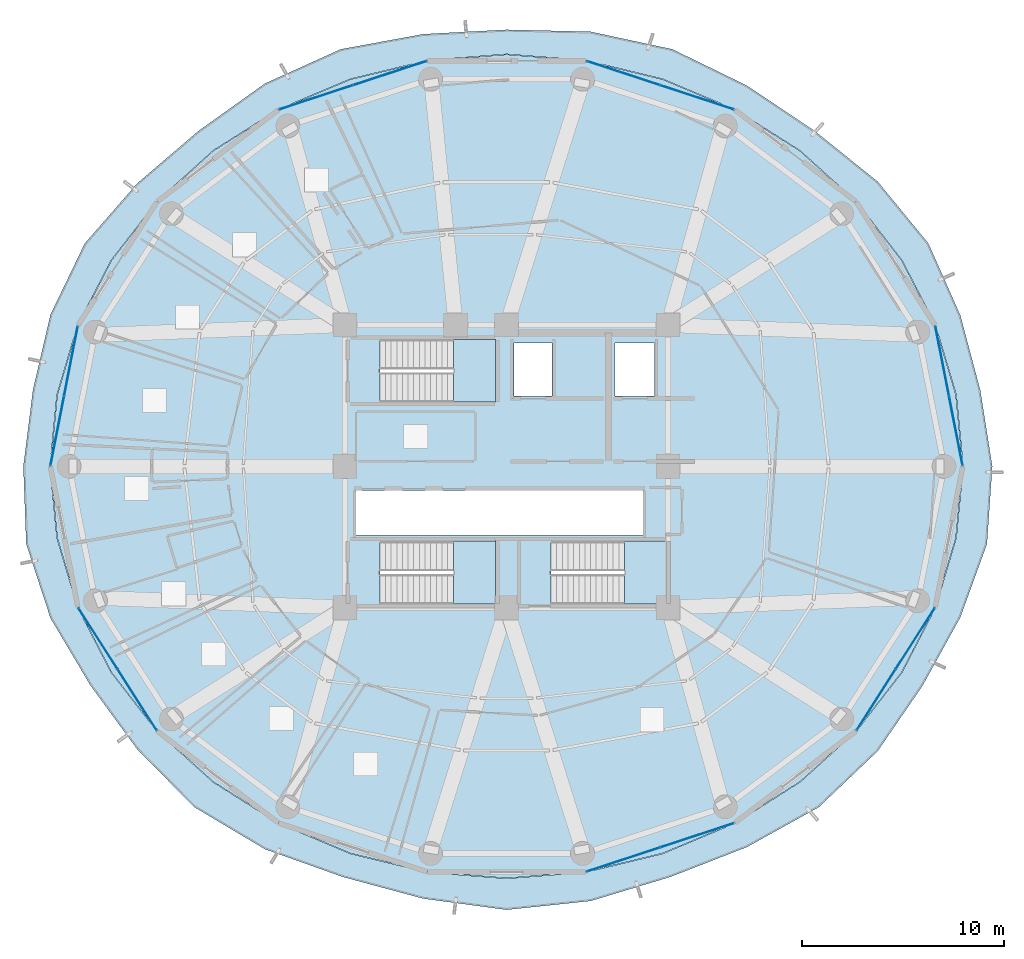
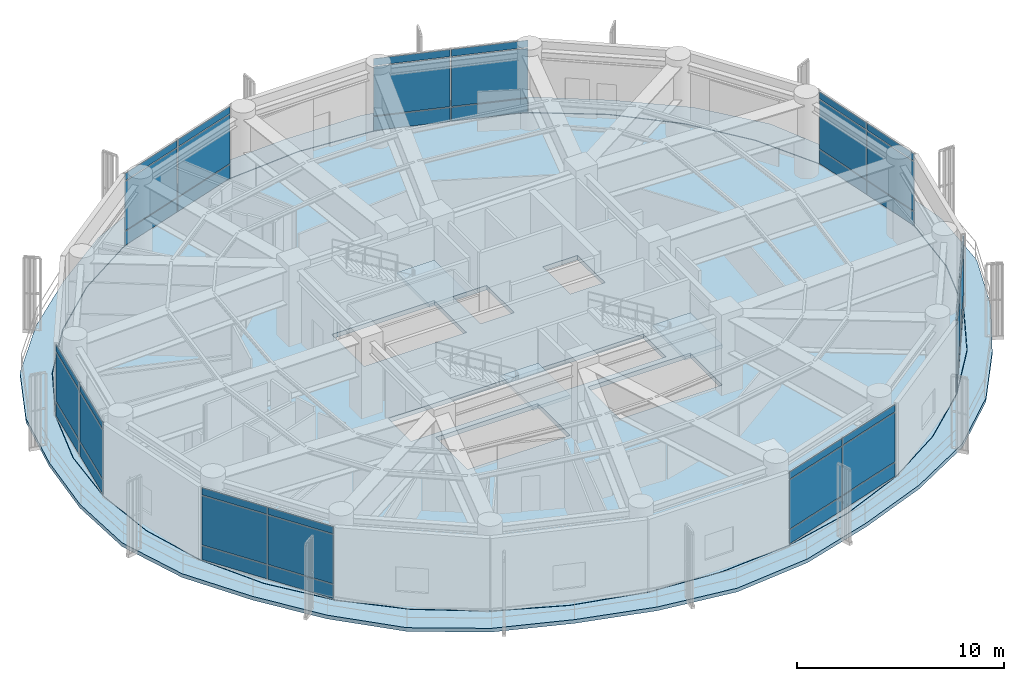
# One storey, part 20 of 28: 42 plates, 5 slabs, 10 elements without a shape of their own.
"""IFC4 building model written with IfcOpenShell, lengths in metres."""

from ifc_helpers import new_model, si_unit, direction, frame, origin, origin_2d, place, context, subcontext, project, spatial, polyline, rectangle, outline, extrude, source, transform, mapped, material, layer, layer_set, type_object, element, aggregate, save


model = new_model("IFC4")

# Units and contexts
model_context = context("Model", 3, precision=1e-05, world=origin(), true_north=direction((0.0, 1.0)))
body_context = subcontext(model_context, "Body", "Model", "MODEL_VIEW")
ifc_project = project(units=[si_unit("LENGTHUNIT", "METRE"), si_unit("AREAUNIT", "SQUARE_METRE"), si_unit("VOLUMEUNIT", "CUBIC_METRE"), si_unit("PLANEANGLEUNIT", "RADIAN"), si_unit("MASSUNIT", "GRAM", prefix="KILO")], contexts=[model_context])

# Site, building, storey
site_placement = place(None, origin())
site = spatial("IfcSite", under=ifc_project, at=site_placement, CompositionType="ELEMENT")
building_placement = place(site_placement, origin())
building = spatial("IfcBuilding", under=site, at=building_placement, Name="Kelanora Arch Commons", CompositionType="ELEMENT")
storey_placement = place(building_placement, frame((0.0, 0.0, 184.35009765625)))
storey = spatial("IfcBuildingStorey", under=building, at=storey_placement, Name="L47", CompositionType="ELEMENT", Elevation=184.35009765625)

# Stair, slab
ifc_material_1 = material(Name="Concrete C40/50", Category="concrete")
stair_type = type_object("IfcStairType", Name="STR-DL-476", PredefinedType="HALF_TURN_STAIR", material=ifc_material_1)
stair_1_placement = place(storey_placement, origin())
stair_1 = element("IfcStair", 1, at=stair_1_placement, inside=storey, type_object=stair_type, Name="L47 ST-T1", PredefinedType="HALF_TURN_STAIR")
ifc_layer_1 = layer(ifc_material_1, 0.199951171875)
ifc_layer_set_1 = layer_set([ifc_layer_1], Name="Concrete C40/50")
slab_type_1 = type_object("IfcSlabType", Name="SLB-STAIR-LND", PredefinedType="LANDING", material=ifc_layer_set_1)
slab_1_placement = place(storey_placement, frame((0.0, 0.0, 2.179931640625)))
slab_1 = element("IfcSlab", 2, at=slab_1_placement, type_object=slab_type_1, Name="ST-T1 landing 1", PredefinedType="LANDING", context=body_context, shape_type="SweptSolid", body=[
    extrude(outline(polyline([(71.360107421875, 61.179931640625), (73.43994140625, 61.179931640625), (73.43994140625, 64.2900390625), (71.360107421875, 64.2900390625), (71.360107421875, 61.179931640625)])), origin(), (0.0, 0.0, 1.0), 0.199951171875),
])
aggregate(stair_1, [slab_1])

stair_2_placement = place(storey_placement, origin())
stair_2 = element("IfcStair", 3, at=stair_2_placement, inside=storey, type_object=stair_type, Name="L47 ST-T2", PredefinedType="HALF_TURN_STAIR")
slab_2_placement = place(storey_placement, frame((0.0, 0.0, 2.179931640625)))
slab_2 = element("IfcSlab", 4, at=slab_2_placement, type_object=slab_type_1, Name="ST-T2 landing 1", PredefinedType="LANDING", context=body_context, shape_type="SweptSolid", body=[
    extrude(outline(polyline([(79.840087890625, 51.179931640625), (81.919921875, 51.179931640625), (81.919921875, 54.2900390625), (79.840087890625, 54.2900390625), (79.840087890625, 51.179931640625)])), origin(), (0.0, 0.0, 1.0), 0.199951171875),
])
aggregate(stair_2, [slab_2])

stair_3_placement = place(storey_placement, origin())
stair_3 = element("IfcStair", 5, at=stair_3_placement, inside=storey, type_object=stair_type, Name="L47 ST-T3", PredefinedType="HALF_TURN_STAIR")
slab_3_placement = place(storey_placement, frame((0.0, 0.0, 2.179931640625)))
slab_3 = element("IfcSlab", 6, at=slab_3_placement, type_object=slab_type_1, Name="ST-T3 landing 1", PredefinedType="LANDING", context=body_context, shape_type="SweptSolid", body=[
    extrude(outline(polyline([(71.360107421875, 51.179931640625), (73.43994140625, 51.179931640625), (73.43994140625, 54.2900390625), (71.360107421875, 54.2900390625), (71.360107421875, 51.179931640625)])), origin(), (0.0, 0.0, 1.0), 0.199951171875),
])
aggregate(stair_3, [slab_3])

# Slabs
ifc_layer_2 = layer(ifc_material_1, 0.260009765625)
ifc_layer_set_2 = layer_set([ifc_layer_2], Name="Concrete C40/50")
slab_type_2 = type_object("IfcSlabType", Name="SLB-TWR-TYP", PredefinedType="FLOOR", material=ifc_layer_set_2)
slab_4_placement = place(storey_placement, frame((0.0, 0.0, -0.260009765625)))
element("IfcSlab", 7, at=slab_4_placement, inside=storey, type_object=slab_type_2, Name="Tower Floor Slab L47", PredefinedType="FLOOR", context=body_context, shape_type="SweptSolid", body=[
    extrude(outline(polyline([(96.60009765625, 58.0), (96.256591796875, 61.54248046875), (95.237060546875, 64.977294921875), (93.572265625, 68.199951171875), (91.3125, 71.11279296875), (88.527099609375, 73.627197265625), (85.300048828125, 75.6669921875), (81.729736328125, 77.169677734375), (77.92431640625, 78.090087890625), (74.0, 78.39990234375), (70.07568359375, 78.090087890625), (66.270263671875, 77.169677734375), (62.699951171875, 75.6669921875), (59.472900390625, 73.627197265625), (56.6875, 71.11279296875), (54.427734375, 68.199951171875), (52.762939453125, 64.977294921875), (51.743408203125, 61.54248046875), (51.39990234375, 58.0), (51.743408203125, 54.45751953125), (52.762939453125, 51.022705078125), (54.427734375, 47.800048828125), (56.6875, 44.88720703125), (59.472900390625, 42.372802734375), (62.699951171875, 40.3330078125), (66.270263671875, 38.830322265625), (70.07568359375, 37.909912109375), (74.0, 37.60009765625), (77.92431640625, 37.909912109375), (81.729736328125, 38.830322265625), (85.300048828125, 40.3330078125), (88.527099609375, 42.372802734375), (91.3125, 44.88720703125), (93.572265625, 47.800048828125), (95.237060546875, 51.022705078125), (96.256591796875, 54.45751953125), (96.60009765625, 58.0)]), holes=[polyline([(73.431884765625, 51.18798828125), (67.72802734375, 51.18798828125), (67.72802734375, 54.281982421875), (73.431884765625, 54.281982421875), (73.431884765625, 51.18798828125)]), polyline([(76.2080078125, 51.18798828125), (76.2080078125, 54.281982421875), (81.912109375, 54.281982421875), (81.912109375, 51.18798828125), (76.2080078125, 51.18798828125)]), polyline([(66.550048828125, 54.60009765625), (66.550048828125, 56.800048828125), (80.75, 56.800048828125), (80.75, 54.60009765625), (66.550048828125, 54.60009765625)]), polyline([(73.431884765625, 61.18798828125), (67.72802734375, 61.18798828125), (67.72802734375, 64.281982421875), (73.431884765625, 64.281982421875), (73.431884765625, 61.18798828125)]), polyline([(74.3798828125, 61.47998046875), (74.3798828125, 64.1201171875), (76.260009765625, 64.1201171875), (76.260009765625, 61.47998046875), (74.3798828125, 61.47998046875)]), polyline([(79.3798828125, 61.47998046875), (79.3798828125, 64.1201171875), (81.320068359375, 64.1201171875), (81.320068359375, 61.47998046875), (79.3798828125, 61.47998046875)])]), origin(), (0.0, 0.0, 1.0), 0.260009765625),
])
ifc_layer_3 = layer(ifc_material_1, 0.219970703125)
ifc_layer_set_3 = layer_set([ifc_layer_3], Name="Concrete C40/50")
slab_type_3 = type_object("IfcSlabType", Name="SLB-WAVE-BAL", PredefinedType="FLOOR", material=ifc_layer_set_3)
slab_5_placement = place(storey_placement, frame((0.0, 0.0, -0.22021484375)))
element("IfcSlab", 8, at=slab_5_placement, inside=storey, type_object=slab_type_3, Name="Sinusoidal Wave Balcony Slab L47", PredefinedType="FLOOR", context=body_context, shape_type="SweptSolid", body=[
    extrude(outline(polyline([(98.0615234375, 58.0), (97.464599609375, 61.7783203125), (96.478515625, 65.477783203125), (94.89404296875, 69.04541015625), (92.383056640625, 72.10791015625), (89.270263671875, 74.6083984375), (85.918701171875, 76.853759765625), (82.219482421875, 78.660400390625), (78.154296875, 79.533447265625), (74.0, 79.630859375), (69.865234375, 79.411865234375), (65.780517578125, 78.660400390625), (62.0244140625, 76.962890625), (58.729736328125, 74.6083984375), (55.70703125, 72.024169921875), (53.10595703125, 69.04541015625), (51.407470703125, 65.523681640625), (50.535400390625, 61.7783203125), (50.0615234375, 58.0), (50.203369140625, 54.15673828125), (51.407470703125, 50.476318359375), (53.390869140625, 47.13671875), (55.70703125, 43.975830078125), (58.525634765625, 41.121826171875), (62.0244140625, 39.037109375), (65.88623046875, 37.660888671875), (69.865234375, 36.588134765625), (74.0, 36.031005859375), (78.154296875, 36.466552734375), (82.11376953125, 37.660888671875), (85.918701171875, 39.146240234375), (89.474365234375, 41.121826171875), (92.383056640625, 43.89208984375), (94.609130859375, 47.13671875), (96.478515625, 50.522216796875), (97.796630859375, 54.15673828125), (98.0615234375, 58.0)]), holes=[polyline([(96.2763671875, 54.4541015625), (95.255859375, 51.015869140625), (93.589599609375, 47.7900390625), (91.327880859375, 44.874267578125), (88.539794921875, 42.357421875), (85.31005859375, 40.31591796875), (81.736572265625, 38.8115234375), (77.927978515625, 37.89013671875), (74.0, 37.580078125), (70.072021484375, 37.89013671875), (66.263427734375, 38.8115234375), (62.68994140625, 40.31591796875), (59.460205078125, 42.357421875), (56.672119140625, 44.874267578125), (54.410400390625, 47.7900390625), (52.744140625, 51.015869140625), (51.7236328125, 54.4541015625), (51.3798828125, 58.0), (51.7236328125, 61.5458984375), (52.744140625, 64.984130859375), (54.410400390625, 68.2099609375), (56.672119140625, 71.125732421875), (59.460205078125, 73.642578125), (62.68994140625, 75.68408203125), (66.263427734375, 77.1884765625), (70.072021484375, 78.10986328125), (74.0, 78.419921875), (77.927978515625, 78.10986328125), (81.736572265625, 77.1884765625), (85.31005859375, 75.68408203125), (88.539794921875, 73.642578125), (91.327880859375, 71.125732421875), (93.589599609375, 68.2099609375), (95.255859375, 64.984130859375), (96.2763671875, 61.5458984375), (96.6201171875, 58.0), (96.2763671875, 54.4541015625)])]), origin(), (0.0, 0.0, 1.0), 0.22021484375),
])

# Curtain wall, plates
ifc_material_2 = material(Name="Terracotta ceramic-fritted low-E glass and aluminium", Category="masonry")
ifc_layer_4 = layer(ifc_material_2, 0.175048828125)
ifc_layer_set_4 = layer_set([ifc_layer_4], Name="Terracotta ceramic-fritted low-E glass and aluminium")
curtain_wall_type = type_object("IfcCurtainWallType", Name="CW-SYS-02", PredefinedType="NOTDEFINED", material=ifc_layer_set_4)
curtain_wall_1_placement = place(storey_placement, origin())
curtain_wall_1 = element("IfcCurtainWall", 9, at=curtain_wall_1_placement, inside=storey, type_object=curtain_wall_type, Name="Unitised Curtain Wall L47-B00", PredefinedType="NOTDEFINED")
ifc_material_3 = material(Name="Terracotta ceramic-fritted double glazing", Category="masonry")
ifc_layer_5 = layer(ifc_material_3, 0.028076171875)
ifc_layer_set_5 = layer_set([ifc_layer_5], Name="Terracotta ceramic-fritted double glazing")
plate_type = type_object("IfcPlateType", Name="CWP-FRIT", PredefinedType="CURTAIN_PANEL", material=ifc_layer_set_5)
shared_shape_1 = source(origin(), body_context, "Body", "SweptSolid", [
    extrude(rectangle(XDim=3.449462890625, YDim=0.028076171875, at=origin_2d()), origin(), (0.0, 0.0, 1.0), 0.81005859375),
])
plate_1_placement = place(storey_placement, frame((96.2548828125, 59.766357421875, 0.059814453125), z_axis=(0.0, 0.0, 1.0), x_axis=(-0.191705182375, 0.981452557718, 0.0)))
plate_1 = element("IfcPlate", 10, at=plate_1_placement, type_object=plate_type, Name="CW-02 panel 1.1", PredefinedType="CURTAIN_PANEL", context=body_context, shape_type="MappedRepresentation", body=[
    mapped(shared_shape_1, transform((0.0, 0.0, 0.0), scale=1.0)),
])
plate_2_placement = place(storey_placement, frame((95.58203125, 63.2109375, 0.059814453125), z_axis=(0.0, 0.0, 1.0), x_axis=(-0.191705182375, 0.981452557718, 0.0)))
plate_2 = element("IfcPlate", 11, at=plate_2_placement, type_object=plate_type, Name="CW-02 panel 2.1", PredefinedType="CURTAIN_PANEL", context=body_context, shape_type="MappedRepresentation", body=[
    mapped(shared_shape_1, transform((0.0, 0.0, 0.0), scale=1.0)),
])

curtain_wall_2_placement = place(storey_placement, origin())
curtain_wall_2 = element("IfcCurtainWall", 12, at=curtain_wall_2_placement, inside=storey, type_object=curtain_wall_type, Name="Unitised Curtain Wall L47-B08", PredefinedType="NOTDEFINED")
plate_3_placement = place(storey_placement, frame((52.41796875, 63.2109375, 0.059814453125), z_axis=(0.0, 0.0, 1.0), x_axis=(-0.191705182375, -0.981452557718, 0.0)))
plate_3 = element("IfcPlate", 13, at=plate_3_placement, type_object=plate_type, Name="CW-02 panel 1.1", PredefinedType="CURTAIN_PANEL", context=body_context, shape_type="MappedRepresentation", body=[
    mapped(shared_shape_1, transform((0.0, 0.0, 0.0), scale=1.0)),
])
plate_4_placement = place(storey_placement, frame((51.7451171875, 59.766357421875, 0.059814453125), z_axis=(0.0, 0.0, 1.0), x_axis=(-0.191705182375, -0.981452557718, 0.0)))
plate_4 = element("IfcPlate", 14, at=plate_4_placement, type_object=plate_type, Name="CW-02 panel 2.1", PredefinedType="CURTAIN_PANEL", context=body_context, shape_type="MappedRepresentation", body=[
    mapped(shared_shape_1, transform((0.0, 0.0, 0.0), scale=1.0)),
])

curtain_wall_3_placement = place(storey_placement, origin())
curtain_wall_3 = element("IfcCurtainWall", 15, at=curtain_wall_3_placement, inside=storey, type_object=curtain_wall_type, Name="Unitised Curtain Wall L47-B03", PredefinedType="NOTDEFINED")
shared_shape_2 = source(origin(), body_context, "Body", "SweptSolid", [
    extrude(rectangle(XDim=3.776611328125, YDim=0.028076171875, at=origin_2d()), origin(), (0.0, 0.0, 1.0), 0.81005859375),
])
plate_5_placement = place(storey_placement, frame((83.434814453125, 76.27978515625, 0.059814453125), z_axis=(0.0, 0.0, 1.0), x_axis=(-0.95003996605, 0.312128279571, 0.0)))
plate_5 = element("IfcPlate", 16, at=plate_5_placement, type_object=plate_type, Name="CW-02 panel 1.1", PredefinedType="CURTAIN_PANEL", context=body_context, shape_type="MappedRepresentation", body=[
    mapped(shared_shape_2, transform((0.0, 0.0, 0.0), scale=1.0)),
])
plate_6_placement = place(storey_placement, frame((79.789794921875, 77.477294921875, 0.059814453125), z_axis=(0.0, 0.0, 1.0), x_axis=(-0.95003996605, 0.312128279571, 0.0)))
plate_6 = element("IfcPlate", 17, at=plate_6_placement, type_object=plate_type, Name="CW-02 panel 2.1", PredefinedType="CURTAIN_PANEL", context=body_context, shape_type="MappedRepresentation", body=[
    mapped(shared_shape_2, transform((0.0, 0.0, 0.0), scale=1.0)),
])

curtain_wall_4_placement = place(storey_placement, origin())
curtain_wall_4 = element("IfcCurtainWall", 18, at=curtain_wall_4_placement, inside=storey, type_object=curtain_wall_type, Name="Unitised Curtain Wall L47-B05", PredefinedType="NOTDEFINED")
plate_7_placement = place(storey_placement, frame((68.210205078125, 77.477294921875, 0.059814453125), z_axis=(0.0, 0.0, 1.0), x_axis=(-0.95003996605, -0.312128279571, 0.0)))
plate_7 = element("IfcPlate", 19, at=plate_7_placement, type_object=plate_type, Name="CW-02 panel 1.1", PredefinedType="CURTAIN_PANEL", context=body_context, shape_type="MappedRepresentation", body=[
    mapped(shared_shape_2, transform((0.0, 0.0, 0.0), scale=1.0)),
])
plate_8_placement = place(storey_placement, frame((64.565185546875, 76.27978515625, 0.059814453125), z_axis=(0.0, 0.0, 1.0), x_axis=(-0.95003996605, -0.312128279571, 0.0)))
plate_8 = element("IfcPlate", 20, at=plate_8_placement, type_object=plate_type, Name="CW-02 panel 2.1", PredefinedType="CURTAIN_PANEL", context=body_context, shape_type="MappedRepresentation", body=[
    mapped(shared_shape_2, transform((0.0, 0.0, 0.0), scale=1.0)),
])

curtain_wall_5_placement = place(storey_placement, origin())
curtain_wall_5 = element("IfcCurtainWall", 21, at=curtain_wall_5_placement, inside=storey, type_object=curtain_wall_type, Name="Unitised Curtain Wall L47-B14", PredefinedType="NOTDEFINED")
plate_9_placement = place(storey_placement, frame((79.789794921875, 38.522705078125, 0.059814453125), z_axis=(0.0, 0.0, 1.0), x_axis=(0.95003996605, 0.312128279571, 0.0)))
plate_9 = element("IfcPlate", 22, at=plate_9_placement, type_object=plate_type, Name="CW-02 panel 1.1", PredefinedType="CURTAIN_PANEL", context=body_context, shape_type="MappedRepresentation", body=[
    mapped(shared_shape_2, transform((0.0, 0.0, 0.0), scale=1.0)),
])
plate_10_placement = place(storey_placement, frame((83.434814453125, 39.72021484375, 0.059814453125), z_axis=(0.0, 0.0, 1.0), x_axis=(0.95003996605, 0.312128279571, 0.0)))
plate_10 = element("IfcPlate", 23, at=plate_10_placement, type_object=plate_type, Name="CW-02 panel 2.1", PredefinedType="CURTAIN_PANEL", context=body_context, shape_type="MappedRepresentation", body=[
    mapped(shared_shape_2, transform((0.0, 0.0, 0.0), scale=1.0)),
])

curtain_wall_6_placement = place(storey_placement, origin())
curtain_wall_6 = element("IfcCurtainWall", 24, at=curtain_wall_6_placement, inside=storey, type_object=curtain_wall_type, Name="Unitised Curtain Wall L47-B10", PredefinedType="NOTDEFINED")
shared_shape_3 = source(origin(), body_context, "Body", "SweptSolid", [
    extrude(rectangle(XDim=3.53662109375, YDim=0.028076171875, at=origin_2d()), origin(), (0.0, 0.0, 1.0), 0.81005859375),
])
plate_11_placement = place(storey_placement, frame((53.756103515625, 49.469970703125, 0.059814453125), z_axis=(0.0, 0.0, 1.0), x_axis=(0.538816988983, -0.842422846546, 0.0)))
plate_11 = element("IfcPlate", 25, at=plate_11_placement, type_object=plate_type, Name="CW-02 panel 1.1", PredefinedType="CURTAIN_PANEL", context=body_context, shape_type="MappedRepresentation", body=[
    mapped(shared_shape_3, transform((0.0, 0.0, 0.0), scale=1.0)),
])
plate_12_placement = place(storey_placement, frame((55.694091796875, 46.43994140625, 0.059814453125), z_axis=(0.0, 0.0, 1.0), x_axis=(0.538816988983, -0.842422846546, 0.0)))
plate_12 = element("IfcPlate", 26, at=plate_12_placement, type_object=plate_type, Name="CW-02 panel 2.1", PredefinedType="CURTAIN_PANEL", context=body_context, shape_type="MappedRepresentation", body=[
    mapped(shared_shape_3, transform((0.0, 0.0, 0.0), scale=1.0)),
])

curtain_wall_7_placement = place(storey_placement, origin())
curtain_wall_7 = element("IfcCurtainWall", 27, at=curtain_wall_7_placement, inside=storey, type_object=curtain_wall_type, Name="Unitised Curtain Wall L47-B16", PredefinedType="NOTDEFINED")
plate_13_placement = place(storey_placement, frame((92.305908203125, 46.43994140625, 0.059814453125), z_axis=(0.0, 0.0, 1.0), x_axis=(0.538816988983, 0.842422846546, 0.0)))
plate_13 = element("IfcPlate", 28, at=plate_13_placement, type_object=plate_type, Name="CW-02 panel 1.1", PredefinedType="CURTAIN_PANEL", context=body_context, shape_type="MappedRepresentation", body=[
    mapped(shared_shape_3, transform((0.0, 0.0, 0.0), scale=1.0)),
])
plate_14_placement = place(storey_placement, frame((94.243896484375, 49.469970703125, 0.059814453125), z_axis=(0.0, 0.0, 1.0), x_axis=(0.538816988983, 0.842422846546, 0.0)))
plate_14 = element("IfcPlate", 29, at=plate_14_placement, type_object=plate_type, Name="CW-02 panel 2.1", PredefinedType="CURTAIN_PANEL", context=body_context, shape_type="MappedRepresentation", body=[
    mapped(shared_shape_3, transform((0.0, 0.0, 0.0), scale=1.0)),
])

# Plate
shared_shape_4 = source(origin(), body_context, "Body", "SweptSolid", [
    extrude(rectangle(XDim=3.449462890625, YDim=0.028076171875, at=origin_2d()), origin(), (0.0, 0.0, 1.0), 2.885009765625),
])
plate_15_placement = place(storey_placement, frame((96.2548828125, 59.766357421875, 0.9296875), z_axis=(0.0, 0.0, 1.0), x_axis=(-0.191705182375, 0.981452557718, 0.0)))
plate_15 = element("IfcPlate", 30, at=plate_15_placement, type_object=plate_type, Name="CW-02 panel 1.2", PredefinedType="CURTAIN_PANEL", context=body_context, shape_type="MappedRepresentation", body=[
    mapped(shared_shape_4, transform((0.0, 0.0, 0.0), scale=1.0)),
])

plate_16_placement = place(storey_placement, frame((95.58203125, 63.2109375, 0.9296875), z_axis=(0.0, 0.0, 1.0), x_axis=(-0.191705182375, 0.981452557718, 0.0)))
plate_16 = element("IfcPlate", 31, at=plate_16_placement, type_object=plate_type, Name="CW-02 panel 2.2", PredefinedType="CURTAIN_PANEL", context=body_context, shape_type="MappedRepresentation", body=[
    mapped(shared_shape_4, transform((0.0, 0.0, 0.0), scale=1.0)),
])

plate_17_placement = place(storey_placement, frame((52.41796875, 63.2109375, 0.9296875), z_axis=(0.0, 0.0, 1.0), x_axis=(-0.191705182375, -0.981452557718, 0.0)))
plate_17 = element("IfcPlate", 32, at=plate_17_placement, type_object=plate_type, Name="CW-02 panel 1.2", PredefinedType="CURTAIN_PANEL", context=body_context, shape_type="MappedRepresentation", body=[
    mapped(shared_shape_4, transform((0.0, 0.0, 0.0), scale=1.0)),
])

plate_18_placement = place(storey_placement, frame((51.7451171875, 59.766357421875, 0.9296875), z_axis=(0.0, 0.0, 1.0), x_axis=(-0.191705182375, -0.981452557718, 0.0)))
plate_18 = element("IfcPlate", 33, at=plate_18_placement, type_object=plate_type, Name="CW-02 panel 2.2", PredefinedType="CURTAIN_PANEL", context=body_context, shape_type="MappedRepresentation", body=[
    mapped(shared_shape_4, transform((0.0, 0.0, 0.0), scale=1.0)),
])

shared_shape_5 = source(origin(), body_context, "Body", "SweptSolid", [
    extrude(rectangle(XDim=3.449462890625, YDim=0.028076171875, at=origin_2d()), origin(), (0.0, 0.0, 1.0), 0.409912109375),
])
plate_19_placement = place(storey_placement, frame((96.2548828125, 59.766357421875, 3.875), z_axis=(0.0, 0.0, 1.0), x_axis=(-0.191705182375, 0.981452557718, 0.0)))
plate_19 = element("IfcPlate", 34, at=plate_19_placement, type_object=plate_type, Name="CW-02 panel 1.3", PredefinedType="CURTAIN_PANEL", context=body_context, shape_type="MappedRepresentation", body=[
    mapped(shared_shape_5, transform((0.0, 0.0, 0.0), scale=1.0)),
])

plate_20_placement = place(storey_placement, frame((95.58203125, 63.2109375, 3.875), z_axis=(0.0, 0.0, 1.0), x_axis=(-0.191705182375, 0.981452557718, 0.0)))
plate_20 = element("IfcPlate", 35, at=plate_20_placement, type_object=plate_type, Name="CW-02 panel 2.3", PredefinedType="CURTAIN_PANEL", context=body_context, shape_type="MappedRepresentation", body=[
    mapped(shared_shape_5, transform((0.0, 0.0, 0.0), scale=1.0)),
])

aggregate(curtain_wall_1, [plate_1, plate_15, plate_19, plate_2, plate_16, plate_20])

plate_21_placement = place(storey_placement, frame((52.41796875, 63.2109375, 3.875), z_axis=(0.0, 0.0, 1.0), x_axis=(-0.191705182375, -0.981452557718, 0.0)))
plate_21 = element("IfcPlate", 36, at=plate_21_placement, type_object=plate_type, Name="CW-02 panel 1.3", PredefinedType="CURTAIN_PANEL", context=body_context, shape_type="MappedRepresentation", body=[
    mapped(shared_shape_5, transform((0.0, 0.0, 0.0), scale=1.0)),
])

plate_22_placement = place(storey_placement, frame((51.7451171875, 59.766357421875, 3.875), z_axis=(0.0, 0.0, 1.0), x_axis=(-0.191705182375, -0.981452557718, 0.0)))
plate_22 = element("IfcPlate", 37, at=plate_22_placement, type_object=plate_type, Name="CW-02 panel 2.3", PredefinedType="CURTAIN_PANEL", context=body_context, shape_type="MappedRepresentation", body=[
    mapped(shared_shape_5, transform((0.0, 0.0, 0.0), scale=1.0)),
])

aggregate(curtain_wall_2, [plate_3, plate_17, plate_21, plate_4, plate_18, plate_22])

shared_shape_6 = source(origin(), body_context, "Body", "SweptSolid", [
    extrude(rectangle(XDim=3.776611328125, YDim=0.028076171875, at=origin_2d()), origin(), (0.0, 0.0, 1.0), 2.885009765625),
])
plate_23_placement = place(storey_placement, frame((83.434814453125, 76.27978515625, 0.9296875), z_axis=(0.0, 0.0, 1.0), x_axis=(-0.95003996605, 0.312128279571, 0.0)))
plate_23 = element("IfcPlate", 38, at=plate_23_placement, type_object=plate_type, Name="CW-02 panel 1.2", PredefinedType="CURTAIN_PANEL", context=body_context, shape_type="MappedRepresentation", body=[
    mapped(shared_shape_6, transform((0.0, 0.0, 0.0), scale=1.0)),
])

plate_24_placement = place(storey_placement, frame((79.789794921875, 77.477294921875, 0.9296875), z_axis=(0.0, 0.0, 1.0), x_axis=(-0.95003996605, 0.312128279571, 0.0)))
plate_24 = element("IfcPlate", 39, at=plate_24_placement, type_object=plate_type, Name="CW-02 panel 2.2", PredefinedType="CURTAIN_PANEL", context=body_context, shape_type="MappedRepresentation", body=[
    mapped(shared_shape_6, transform((0.0, 0.0, 0.0), scale=1.0)),
])

plate_25_placement = place(storey_placement, frame((68.210205078125, 77.477294921875, 0.9296875), z_axis=(0.0, 0.0, 1.0), x_axis=(-0.95003996605, -0.312128279571, 0.0)))
plate_25 = element("IfcPlate", 40, at=plate_25_placement, type_object=plate_type, Name="CW-02 panel 1.2", PredefinedType="CURTAIN_PANEL", context=body_context, shape_type="MappedRepresentation", body=[
    mapped(shared_shape_6, transform((0.0, 0.0, 0.0), scale=1.0)),
])

plate_26_placement = place(storey_placement, frame((64.565185546875, 76.27978515625, 0.9296875), z_axis=(0.0, 0.0, 1.0), x_axis=(-0.95003996605, -0.312128279571, 0.0)))
plate_26 = element("IfcPlate", 41, at=plate_26_placement, type_object=plate_type, Name="CW-02 panel 2.2", PredefinedType="CURTAIN_PANEL", context=body_context, shape_type="MappedRepresentation", body=[
    mapped(shared_shape_6, transform((0.0, 0.0, 0.0), scale=1.0)),
])

plate_27_placement = place(storey_placement, frame((79.789794921875, 38.522705078125, 0.9296875), z_axis=(0.0, 0.0, 1.0), x_axis=(0.95003996605, 0.312128279571, 0.0)))
plate_27 = element("IfcPlate", 42, at=plate_27_placement, type_object=plate_type, Name="CW-02 panel 1.2", PredefinedType="CURTAIN_PANEL", context=body_context, shape_type="MappedRepresentation", body=[
    mapped(shared_shape_6, transform((0.0, 0.0, 0.0), scale=1.0)),
])

plate_28_placement = place(storey_placement, frame((83.434814453125, 39.72021484375, 0.9296875), z_axis=(0.0, 0.0, 1.0), x_axis=(0.95003996605, 0.312128279571, 0.0)))
plate_28 = element("IfcPlate", 43, at=plate_28_placement, type_object=plate_type, Name="CW-02 panel 2.2", PredefinedType="CURTAIN_PANEL", context=body_context, shape_type="MappedRepresentation", body=[
    mapped(shared_shape_6, transform((0.0, 0.0, 0.0), scale=1.0)),
])

shared_shape_7 = source(origin(), body_context, "Body", "SweptSolid", [
    extrude(rectangle(XDim=3.776611328125, YDim=0.028076171875, at=origin_2d()), origin(), (0.0, 0.0, 1.0), 0.409912109375),
])
plate_29_placement = place(storey_placement, frame((83.434814453125, 76.27978515625, 3.875), z_axis=(0.0, 0.0, 1.0), x_axis=(-0.95003996605, 0.312128279571, 0.0)))
plate_29 = element("IfcPlate", 44, at=plate_29_placement, type_object=plate_type, Name="CW-02 panel 1.3", PredefinedType="CURTAIN_PANEL", context=body_context, shape_type="MappedRepresentation", body=[
    mapped(shared_shape_7, transform((0.0, 0.0, 0.0), scale=1.0)),
])

plate_30_placement = place(storey_placement, frame((79.789794921875, 77.477294921875, 3.875), z_axis=(0.0, 0.0, 1.0), x_axis=(-0.95003996605, 0.312128279571, 0.0)))
plate_30 = element("IfcPlate", 45, at=plate_30_placement, type_object=plate_type, Name="CW-02 panel 2.3", PredefinedType="CURTAIN_PANEL", context=body_context, shape_type="MappedRepresentation", body=[
    mapped(shared_shape_7, transform((0.0, 0.0, 0.0), scale=1.0)),
])

aggregate(curtain_wall_3, [plate_5, plate_23, plate_29, plate_6, plate_24, plate_30])

plate_31_placement = place(storey_placement, frame((68.210205078125, 77.477294921875, 3.875), z_axis=(0.0, 0.0, 1.0), x_axis=(-0.95003996605, -0.312128279571, 0.0)))
plate_31 = element("IfcPlate", 46, at=plate_31_placement, type_object=plate_type, Name="CW-02 panel 1.3", PredefinedType="CURTAIN_PANEL", context=body_context, shape_type="MappedRepresentation", body=[
    mapped(shared_shape_7, transform((0.0, 0.0, 0.0), scale=1.0)),
])

plate_32_placement = place(storey_placement, frame((64.565185546875, 76.27978515625, 3.875), z_axis=(0.0, 0.0, 1.0), x_axis=(-0.95003996605, -0.312128279571, 0.0)))
plate_32 = element("IfcPlate", 47, at=plate_32_placement, type_object=plate_type, Name="CW-02 panel 2.3", PredefinedType="CURTAIN_PANEL", context=body_context, shape_type="MappedRepresentation", body=[
    mapped(shared_shape_7, transform((0.0, 0.0, 0.0), scale=1.0)),
])

aggregate(curtain_wall_4, [plate_7, plate_25, plate_31, plate_8, plate_26, plate_32])

plate_33_placement = place(storey_placement, frame((79.789794921875, 38.522705078125, 3.875), z_axis=(0.0, 0.0, 1.0), x_axis=(0.95003996605, 0.312128279571, 0.0)))
plate_33 = element("IfcPlate", 48, at=plate_33_placement, type_object=plate_type, Name="CW-02 panel 1.3", PredefinedType="CURTAIN_PANEL", context=body_context, shape_type="MappedRepresentation", body=[
    mapped(shared_shape_7, transform((0.0, 0.0, 0.0), scale=1.0)),
])

plate_34_placement = place(storey_placement, frame((83.434814453125, 39.72021484375, 3.875), z_axis=(0.0, 0.0, 1.0), x_axis=(0.95003996605, 0.312128279571, 0.0)))
plate_34 = element("IfcPlate", 49, at=plate_34_placement, type_object=plate_type, Name="CW-02 panel 2.3", PredefinedType="CURTAIN_PANEL", context=body_context, shape_type="MappedRepresentation", body=[
    mapped(shared_shape_7, transform((0.0, 0.0, 0.0), scale=1.0)),
])

aggregate(curtain_wall_5, [plate_9, plate_27, plate_33, plate_10, plate_28, plate_34])

shared_shape_8 = source(origin(), body_context, "Body", "SweptSolid", [
    extrude(rectangle(XDim=3.53662109375, YDim=0.028076171875, at=origin_2d()), origin(), (0.0, 0.0, 1.0), 2.885009765625),
])
plate_35_placement = place(storey_placement, frame((53.756103515625, 49.469970703125, 0.9296875), z_axis=(0.0, 0.0, 1.0), x_axis=(0.538816988983, -0.842422846546, 0.0)))
plate_35 = element("IfcPlate", 50, at=plate_35_placement, type_object=plate_type, Name="CW-02 panel 1.2", PredefinedType="CURTAIN_PANEL", context=body_context, shape_type="MappedRepresentation", body=[
    mapped(shared_shape_8, transform((0.0, 0.0, 0.0), scale=1.0)),
])

plate_36_placement = place(storey_placement, frame((55.694091796875, 46.43994140625, 0.9296875), z_axis=(0.0, 0.0, 1.0), x_axis=(0.538816988983, -0.842422846546, 0.0)))
plate_36 = element("IfcPlate", 51, at=plate_36_placement, type_object=plate_type, Name="CW-02 panel 2.2", PredefinedType="CURTAIN_PANEL", context=body_context, shape_type="MappedRepresentation", body=[
    mapped(shared_shape_8, transform((0.0, 0.0, 0.0), scale=1.0)),
])

plate_37_placement = place(storey_placement, frame((92.305908203125, 46.43994140625, 0.9296875), z_axis=(0.0, 0.0, 1.0), x_axis=(0.538816988983, 0.842422846546, 0.0)))
plate_37 = element("IfcPlate", 52, at=plate_37_placement, type_object=plate_type, Name="CW-02 panel 1.2", PredefinedType="CURTAIN_PANEL", context=body_context, shape_type="MappedRepresentation", body=[
    mapped(shared_shape_8, transform((0.0, 0.0, 0.0), scale=1.0)),
])

plate_38_placement = place(storey_placement, frame((94.243896484375, 49.469970703125, 0.9296875), z_axis=(0.0, 0.0, 1.0), x_axis=(0.538816988983, 0.842422846546, 0.0)))
plate_38 = element("IfcPlate", 53, at=plate_38_placement, type_object=plate_type, Name="CW-02 panel 2.2", PredefinedType="CURTAIN_PANEL", context=body_context, shape_type="MappedRepresentation", body=[
    mapped(shared_shape_8, transform((0.0, 0.0, 0.0), scale=1.0)),
])

shared_shape_9 = source(origin(), body_context, "Body", "SweptSolid", [
    extrude(rectangle(XDim=3.53662109375, YDim=0.028076171875, at=origin_2d()), origin(), (0.0, 0.0, 1.0), 0.409912109375),
])
plate_39_placement = place(storey_placement, frame((53.756103515625, 49.469970703125, 3.875), z_axis=(0.0, 0.0, 1.0), x_axis=(0.538816988983, -0.842422846546, 0.0)))
plate_39 = element("IfcPlate", 54, at=plate_39_placement, type_object=plate_type, Name="CW-02 panel 1.3", PredefinedType="CURTAIN_PANEL", context=body_context, shape_type="MappedRepresentation", body=[
    mapped(shared_shape_9, transform((0.0, 0.0, 0.0), scale=1.0)),
])

plate_40_placement = place(storey_placement, frame((55.694091796875, 46.43994140625, 3.875), z_axis=(0.0, 0.0, 1.0), x_axis=(0.538816988983, -0.842422846546, 0.0)))
plate_40 = element("IfcPlate", 55, at=plate_40_placement, type_object=plate_type, Name="CW-02 panel 2.3", PredefinedType="CURTAIN_PANEL", context=body_context, shape_type="MappedRepresentation", body=[
    mapped(shared_shape_9, transform((0.0, 0.0, 0.0), scale=1.0)),
])

aggregate(curtain_wall_6, [plate_11, plate_35, plate_39, plate_12, plate_36, plate_40])

plate_41_placement = place(storey_placement, frame((92.305908203125, 46.43994140625, 3.875), z_axis=(0.0, 0.0, 1.0), x_axis=(0.538816988983, 0.842422846546, 0.0)))
plate_41 = element("IfcPlate", 56, at=plate_41_placement, type_object=plate_type, Name="CW-02 panel 1.3", PredefinedType="CURTAIN_PANEL", context=body_context, shape_type="MappedRepresentation", body=[
    mapped(shared_shape_9, transform((0.0, 0.0, 0.0), scale=1.0)),
])

plate_42_placement = place(storey_placement, frame((94.243896484375, 49.469970703125, 3.875), z_axis=(0.0, 0.0, 1.0), x_axis=(0.538816988983, 0.842422846546, 0.0)))
plate_42 = element("IfcPlate", 57, at=plate_42_placement, type_object=plate_type, Name="CW-02 panel 2.3", PredefinedType="CURTAIN_PANEL", context=body_context, shape_type="MappedRepresentation", body=[
    mapped(shared_shape_9, transform((0.0, 0.0, 0.0), scale=1.0)),
])

aggregate(curtain_wall_7, [plate_13, plate_37, plate_41, plate_14, plate_38, plate_42])

save(model, "model.ifc")
